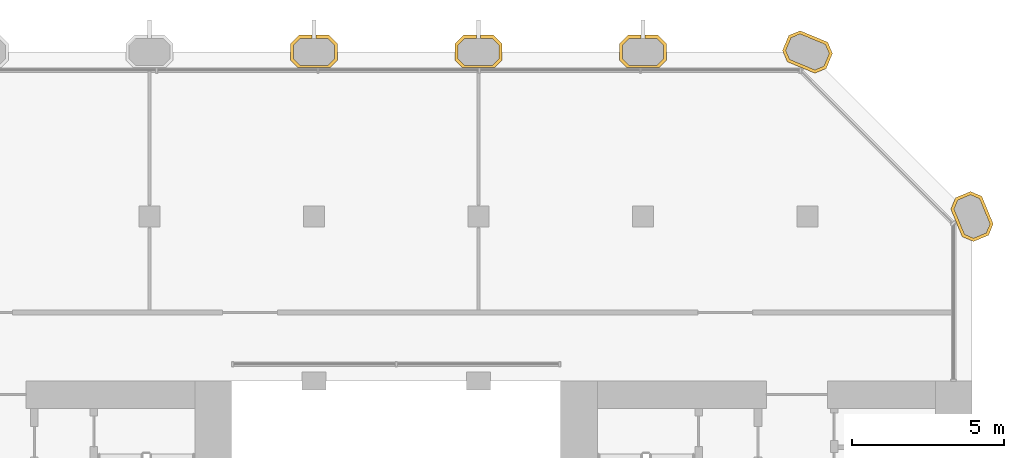
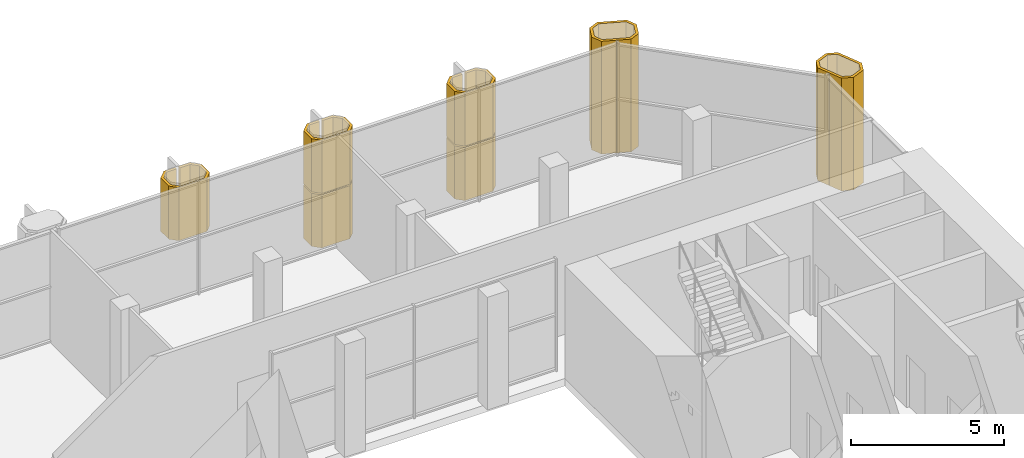
# One storey, part 14 of 14: 7 coverings.
"""IFC4 building model written with IfcOpenShell, lengths in metres."""

from ifc_helpers import new_model, si_unit, direction, frame, origin, place, context, subcontext, project, spatial, polyline, outline, extrude, material, layer, layer_set, type_object, element, save


model = new_model("IFC4")

# Units and contexts
model_context = context("Model", 3, precision=1e-05, world=origin(), true_north=direction((0.0, 1.0)))
body_context = subcontext(model_context, "Body", "Model", "MODEL_VIEW")
ifc_project = project(units=[si_unit("LENGTHUNIT", "METRE"), si_unit("AREAUNIT", "SQUARE_METRE"), si_unit("VOLUMEUNIT", "CUBIC_METRE"), si_unit("PLANEANGLEUNIT", "RADIAN"), si_unit("MASSUNIT", "GRAM", prefix="KILO")], contexts=[model_context])

# Site, building, storey
site_placement = place(None, origin())
site = spatial("IfcSite", under=ifc_project, at=site_placement, CompositionType="ELEMENT")
building_placement = place(site_placement, origin())
building = spatial("IfcBuilding", under=site, at=building_placement, Name="Tabaq Tower and Sports Hall", CompositionType="ELEMENT")
storey_placement = place(building_placement, frame((0.0, 0.0, 260.5)))
storey = spatial("IfcBuildingStorey", under=building, at=storey_placement, Name="L63", CompositionType="ELEMENT", Elevation=260.5)

# Coverings
ifc_material = material(Name="Precast concrete C60/75", Category="concrete")
ifc_layer = layer(ifc_material, 0.10009765625)
ifc_layer_set = layer_set([ifc_layer], Name="Column cladding 100")
covering_type = type_object("IfcCoveringType", Name="Column cladding 100", PredefinedType="CLADDING", material=ifc_layer_set)
covering_1_placement = place(storey_placement, frame((0.0, 0.0, 2.280029296875)))
element("IfcCovering", 1, at=covering_1_placement, inside=storey, type_object=covering_type, Name="Column cladding L63 PC-5I-S2 2", PredefinedType="CLADDING", context=body_context, shape_type="SweptSolid", body=[
    extrude(outline(polyline([(20.8251953125, 43.46630859375), (21.108642578125, 43.749755859375), (21.539794921875, 43.749755859375), (21.539794921875, 43.650390625), (21.14990234375, 43.650390625), (20.9248046875, 43.425048828125), (20.9248046875, 42.974853515625), (21.14990234375, 42.749755859375), (22.050048828125, 42.749755859375), (22.275390625, 42.974853515625), (22.275390625, 43.425048828125), (22.050048828125, 43.650390625), (21.660400390625, 43.650390625), (21.660400390625, 43.749755859375), (22.09130859375, 43.749755859375), (22.374755859375, 43.46630859375), (22.374755859375, 42.93359375), (22.13134765625, 42.690185546875), (21.068603515625, 42.690185546875), (20.8251953125, 42.93359375), (20.8251953125, 43.46630859375)])), origin(), (0.0, 0.0, 1.0), 2.119873046875),
])
for number, where, name in (
    (2, (0.0, 0.0, 0.10009765625), "Column cladding L63 PC-6I-S2"),
    (3, (0.0, 0.0, 2.280029296875), "Column cladding L63 PC-6I-S2 2"),
):
    element("IfcCovering", number, at=place(storey_placement, frame(where)), inside=storey, type_object=covering_type, Name=name, PredefinedType="CLADDING", context=body_context, shape_type="SweptSolid", body=[
        extrude(outline(polyline([(26.225341796875, 43.46630859375), (26.5087890625, 43.749755859375), (26.939697265625, 43.749755859375), (26.939697265625, 43.650390625), (26.5498046875, 43.650390625), (26.32470703125, 43.425048828125), (26.32470703125, 42.974853515625), (26.5498046875, 42.749755859375), (27.4501953125, 42.749755859375), (27.67529296875, 42.974853515625), (27.67529296875, 43.425048828125), (27.4501953125, 43.650390625), (27.060302734375, 43.650390625), (27.060302734375, 43.749755859375), (27.4912109375, 43.749755859375), (27.774658203125, 43.46630859375), (27.774658203125, 42.93359375), (27.53125, 42.690185546875), (26.46875, 42.690185546875), (26.225341796875, 42.93359375), (26.225341796875, 43.46630859375)])), origin(), (0.0, 0.0, 1.0), 2.119873046875),
    ])
for number, where, name in (
    (4, (0.0, 0.0, 0.10009765625), "Column cladding L63 PC-7I-S2"),
    (5, (0.0, 0.0, 2.280029296875), "Column cladding L63 PC-7I-S2 2"),
):
    element("IfcCovering", number, at=place(storey_placement, frame(where)), inside=storey, type_object=covering_type, Name=name, PredefinedType="CLADDING", context=body_context, shape_type="SweptSolid", body=[
        extrude(outline(polyline([(31.625244140625, 43.46630859375), (31.90869140625, 43.749755859375), (32.339599609375, 43.749755859375), (32.339599609375, 43.650390625), (31.949951171875, 43.650390625), (31.724609375, 43.425048828125), (31.724609375, 42.974853515625), (31.949951171875, 42.749755859375), (32.85009765625, 42.749755859375), (33.0751953125, 42.974853515625), (33.0751953125, 43.425048828125), (32.85009765625, 43.650390625), (32.460205078125, 43.650390625), (32.460205078125, 43.749755859375), (32.891357421875, 43.749755859375), (33.1748046875, 43.46630859375), (33.1748046875, 42.93359375), (32.931396484375, 42.690185546875), (31.86865234375, 42.690185546875), (31.625244140625, 42.93359375), (31.625244140625, 43.46630859375)])), origin(), (0.0, 0.0, 1.0), 2.119873046875),
    ])
covering_2_placement = place(storey_placement, origin())
element("IfcCovering", 6, at=covering_2_placement, inside=storey, type_object=covering_type, Name="Column cladding L63 PC-8I-S2", PredefinedType="CLADDING", context=body_context, shape_type="SweptSolid", body=[
    extrude(outline(polyline([(38.413818359375, 42.657470703125), (38.04345703125, 42.504150390625), (37.614013671875, 42.68212890625), (37.614013671875, 42.690185546875), (37.593994140625, 42.690185546875), (37.1357421875, 42.880126953125), (36.982421875, 43.25048828125), (37.186279296875, 43.742431640625), (37.556396484375, 43.895751953125), (38.46435546875, 43.519775390625), (38.61767578125, 43.149658203125), (38.413818359375, 42.657470703125)]), holes=[polyline([(37.26220703125, 43.66650390625), (37.08984375, 43.25048828125), (37.2119140625, 42.956298828125), (38.04345703125, 42.61181640625), (38.337646484375, 42.733642578125), (38.510009765625, 43.149658203125), (38.38818359375, 43.44384765625), (37.556396484375, 43.788330078125), (37.26220703125, 43.66650390625)])]), origin(), (0.0, 0.0, 1.0), 4.5),
])
covering_3_placement = place(storey_placement, origin())
element("IfcCovering", 7, at=covering_3_placement, inside=storey, type_object=covering_type, Name="Column cladding L63 PC-9H-S2", PredefinedType="CLADDING", context=body_context, shape_type="SweptSolid", body=[
    extrude(outline(polyline([(43.25048828125, 36.982421875), (42.880126953125, 37.1357421875), (42.690185546875, 37.593994140625), (42.690185546875, 37.614013671875), (42.68212890625, 37.614013671875), (42.504150390625, 38.04345703125), (42.657470703125, 38.413818359375), (43.149658203125, 38.61767578125), (43.519775390625, 38.46435546875), (43.895751953125, 37.556396484375), (43.742431640625, 37.186279296875), (43.25048828125, 36.982421875)]), holes=[polyline([(43.149658203125, 38.510009765625), (42.733642578125, 38.337646484375), (42.61181640625, 38.04345703125), (42.956298828125, 37.2119140625), (43.25048828125, 37.08984375), (43.66650390625, 37.26220703125), (43.788330078125, 37.556396484375), (43.44384765625, 38.38818359375), (43.149658203125, 38.510009765625)])]), origin(), (0.0, 0.0, 1.0), 4.5),
])

save(model, "model.ifc")
